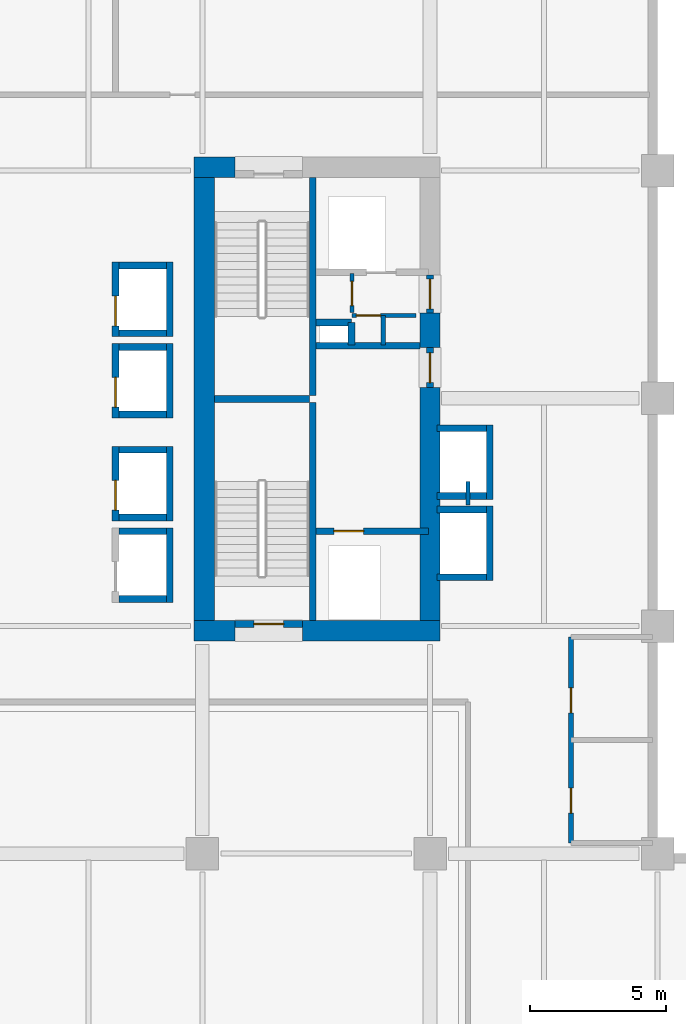
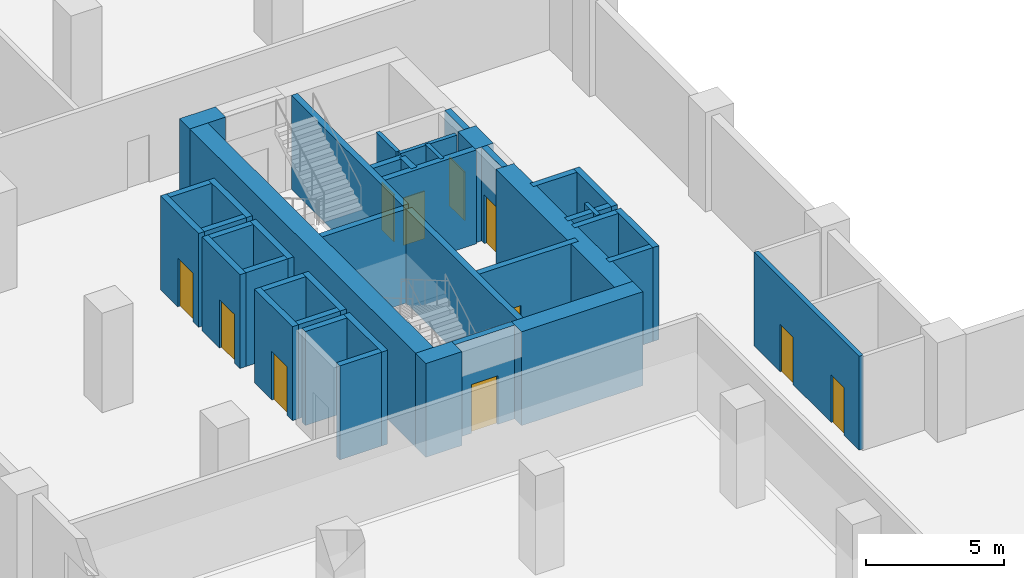
# One storey, part 10 of 21: 42 walls, 11 doors, 11 openings.
"""IFC4 building model written with IfcOpenShell, lengths in metres."""

from ifc_helpers import new_model, si_unit, direction, frame, frame_2d, origin, place, context, subcontext, project, spatial, rectangle, extrude, material, layer, layer_set, type_object, element, fill, save


model = new_model("IFC4")

# Units and contexts
model_context = context("Model", 3, precision=1e-05, world=origin(), true_north=direction((0.0, 1.0)))
body_context = subcontext(model_context, "Body", "Model", "MODEL_VIEW")
ifc_project = project(units=[si_unit("LENGTHUNIT", "METRE"), si_unit("AREAUNIT", "SQUARE_METRE"), si_unit("VOLUMEUNIT", "CUBIC_METRE"), si_unit("PLANEANGLEUNIT", "RADIAN"), si_unit("MASSUNIT", "GRAM", prefix="KILO")], contexts=[model_context])

# Site, building, storey
site_placement = place(None, origin())
site = spatial("IfcSite", under=ifc_project, at=site_placement, CompositionType="ELEMENT")
building_placement = place(site_placement, origin())
building = spatial("IfcBuilding", under=site, at=building_placement, Name="Koriwani Terraces Tower", CompositionType="ELEMENT")
storey_placement = place(building_placement, frame((0.0, 0.0, 85.199951171875)))
storey = spatial("IfcBuildingStorey", under=building, at=storey_placement, Name="L20", CompositionType="ELEMENT", Elevation=85.199951171875)

# Walls
ifc_material_1 = material(Name="Concrete C60/75", Category="concrete")
ifc_layer_1 = layer(ifc_material_1, 0.75, Name="Concrete C60/75")
ifc_layer_set_1 = layer_set([ifc_layer_1], Name="Concrete C60/75")
wall_type_1 = type_object("IfcWallType", Name="WALL_CORE_RC_750", PredefinedType="SHEAR", material=ifc_layer_set_1)
wall_1_placement = place(storey_placement, frame((16.5, 41.824951171875, 0.0), z_axis=(0.0, 0.0, 1.0), x_axis=(1.0, 0.0, 0.0)))
element("IfcWall", 1, at=wall_1_placement, inside=storey, type_object=wall_type_1, Name="L20 West Split Core Shear Wall S1", PredefinedType="SHEAR", context=body_context, shape_type="SweptSolid", body=[
    extrude(rectangle(XDim=1.5, YDim=0.75, at=frame_2d((0.75, 0.0))), origin(), (0.0, 0.0, 1.0), 4.150146484375),
])
wall_2_placement = place(storey_placement, frame((20.5, 41.824951171875, 0.0), z_axis=(0.0, 0.0, 1.0), x_axis=(1.0, 0.0, 0.0)))
element("IfcWall", 2, at=wall_2_placement, inside=storey, type_object=wall_type_1, Name="L20 West Split Core Shear Wall S2", PredefinedType="SHEAR", context=body_context, shape_type="SweptSolid", body=[
    extrude(rectangle(XDim=5.074951171875, YDim=0.75, at=frame_2d((2.53759765625, 0.0))), origin(), (0.0, 0.0, 1.0), 4.150146484375),
])
wall_3_placement = place(storey_placement, frame((16.5, 58.925048828125, 0.0), z_axis=(0.0, 0.0, 1.0), x_axis=(1.0, 0.0, 0.0)))
element("IfcWall", 3, at=wall_3_placement, inside=storey, type_object=wall_type_1, Name="L20 West Split Core Shear Wall N1", PredefinedType="SHEAR", context=body_context, shape_type="SweptSolid", body=[
    extrude(rectangle(XDim=1.5, YDim=0.75, at=frame_2d((0.75, 0.0))), origin(), (0.0, 0.0, 1.0), 4.150146484375),
])
wall_4_placement = place(storey_placement, frame((16.875, 42.199951171875, 0.0), z_axis=(0.0, 0.0, 1.0), x_axis=(0.0, 1.0, 0.0)))
element("IfcWall", 4, at=wall_4_placement, inside=storey, type_object=wall_type_1, Name="L20 West Split Core Shear Wall W1", PredefinedType="SHEAR", context=body_context, shape_type="SweptSolid", body=[
    extrude(rectangle(XDim=16.35009765625, YDim=0.75, at=frame_2d((8.175048828125, 0.0))), origin(), (0.0, 0.0, 1.0), 4.150146484375),
])
wall_5_placement = place(storey_placement, frame((25.199951171875, 42.199951171875, 0.0), z_axis=(0.0, 0.0, 1.0), x_axis=(0.0, 1.0, 0.0)))
element("IfcWall", 5, at=wall_5_placement, inside=storey, type_object=wall_type_1, Name="L20 West Split Core Shear Wall E1", PredefinedType="SHEAR", context=body_context, shape_type="SweptSolid", body=[
    extrude(rectangle(XDim=8.60009765625, YDim=0.75, at=frame_2d((4.300048828125, 0.0))), origin(), (0.0, 0.0, 1.0), 4.150146484375),
])
wall_6_placement = place(storey_placement, frame((25.199951171875, 52.280029296875, 0.0), z_axis=(0.0, 0.0, 1.0), x_axis=(0.0, 1.0, 0.0)))
element("IfcWall", 6, at=wall_6_placement, inside=storey, type_object=wall_type_1, Name="L20 West Split Core Shear Wall E2", PredefinedType="SHEAR", context=body_context, shape_type="SweptSolid", body=[
    extrude(rectangle(XDim=1.27001953125, YDim=0.75, at=frame_2d((0.635009765625, 0.0))), origin(), (0.0, 0.0, 1.0), 4.150146484375),
])

# Wall, openings, doors
ifc_material_2 = material(Name="Fire-Rated Acoustic Gypsum Partition", Category="masonry")
ifc_layer_2 = layer(ifc_material_2, 0.179931640625, Name="Fire-Rated Acoustic Gypsum Partition")
ifc_layer_set_2 = layer_set([ifc_layer_2], Name="Fire-Rated Acoustic Gypsum Partition")
wall_type_2 = type_object("IfcWallType", Name="WALL_PLUMBING_180", PredefinedType="PLUMBINGWALL", material=ifc_layer_set_2)
wall_7_placement = place(storey_placement, frame((30.39990234375, 34.0, 0.0), z_axis=(0.0, 0.0, 1.0), x_axis=(0.0, 1.0, 0.0)))
wall_7 = element("IfcWall", 7, at=wall_7_placement, inside=storey, type_object=wall_type_2, Name="L20 Interior Wall WSKY-WC-L20", PredefinedType="PLUMBINGWALL", context=body_context, shape_type="SweptSolid", body=[
    extrude(rectangle(XDim=7.60009765625, YDim=0.179931640625, at=frame_2d((3.800048828125, 0.0))), origin(), (0.0, 0.0, 1.0), 4.150146484375),
])
opening_1_placement = place(wall_7_placement, frame((1.10009765625, 0.0, 0.0)))
opening_1 = element("IfcOpeningElement", 8, at=opening_1_placement, cuts=wall_7, Name="Opening D-06", PredefinedType="OPENING", context=body_context, shape_type="SweptSolid", body=[
    extrude(rectangle(XDim=0.919921875, YDim=2.10009765625, at=frame_2d((0.4599609375, 1.050048828125))), frame((0.0, 0.10009765625, 0.0), z_axis=(0.0, -1.0, 0.0), x_axis=(1.0, 0.0, 0.0)), (0.0, 0.0, 1.0), 0.199951171875),
])
opening_2_placement = place(wall_7_placement, frame((4.800048828125, 0.0, 0.0)))
opening_2 = element("IfcOpeningElement", 9, at=opening_2_placement, cuts=wall_7, Name="Opening D-06", PredefinedType="OPENING", context=body_context, shape_type="SweptSolid", body=[
    extrude(rectangle(XDim=0.919921875, YDim=2.10009765625, at=frame_2d((0.4599609375, 1.050048828125))), frame((0.0, 0.10009765625, 0.0), z_axis=(0.0, -1.0, 0.0), x_axis=(1.0, 0.0, 0.0)), (0.0, 0.0, 1.0), 0.199951171875),
])
ifc_material_3 = material(Name="Architectural Oak Fire Door", Category="wood")
door_type_1 = type_object("IfcDoorType", Name="DOOR_ROOM_INT_920X2100", OperationType="NOTDEFINED", PredefinedType="DOOR", material=ifc_material_3)
door_1_placement = place(opening_1_placement, origin())
door_1 = element("IfcDoor", 10, at=door_1_placement, inside=storey, type_object=door_type_1, Name="L20 Sky Lobby Restroom WC Door", OperationType="SINGLE_SWING_RIGHT", OverallHeight=2.10009765625, OverallWidth=0.919921875, PredefinedType="DOOR", context=body_context, shape_type="SweptSolid", body=[
    extrude(rectangle(XDim=0.919921875, YDim=2.10009765625, at=frame_2d((0.4599609375, 1.050048828125))), frame((0.0, 0.02490234375, 0.0), z_axis=(0.0, -1.0, 0.0), x_axis=(1.0, 0.0, 0.0)), (0.0, 0.0, 1.0), 0.050048828125),
])
fill(opening_1, door_1)
door_2_placement = place(opening_2_placement, origin())
door_2 = element("IfcDoor", 11, at=door_2_placement, inside=storey, type_object=door_type_1, Name="L20 Sky Lobby Accessible WC Door", OperationType="SINGLE_SWING_LEFT", OverallHeight=2.10009765625, OverallWidth=0.919921875, PredefinedType="DOOR", context=body_context, shape_type="SweptSolid", body=[
    extrude(rectangle(XDim=0.919921875, YDim=2.10009765625, at=frame_2d((0.4599609375, 1.050048828125))), frame((0.0, 0.02490234375, 0.0), z_axis=(0.0, -1.0, 0.0), x_axis=(1.0, 0.0, 0.0)), (0.0, 0.0, 1.0), 0.050048828125),
])
fill(opening_2, door_2)

# Walls
ifc_material_4 = material(Name="Concrete C40/50", Category="concrete")
ifc_layer_3 = layer(ifc_material_4, 0.25, Name="Concrete C40/50")
ifc_layer_set_3 = layer_set([ifc_layer_3], Name="Concrete C40/50")
wall_type_3 = type_object("IfcWallType", Name="WALL_SHAFT_RATED_250", PredefinedType="SOLIDWALL", material=ifc_layer_set_3)
for number, where, z_axis, x_axis, name in (
    (12, (20.875, 42.199951171875, 0.0), (0.0, 0.0, 1.0), (0.0, 1.0, 0.0), "L20 West Split Core Web Wall MID1"),
    (13, (20.875, 50.5, 0.0), (0.0, 0.0, 1.0), (0.0, 1.0, 0.0), "L20 West Split Core Web Wall MID2"),
):
    element("IfcWall", number, at=place(storey_placement, frame(where, z_axis=z_axis, x_axis=x_axis)), inside=storey, type_object=wall_type_3, Name=name, PredefinedType="SOLIDWALL", context=body_context, shape_type="SweptSolid", body=[
        extrude(rectangle(XDim=8.050048828125, YDim=0.25, at=frame_2d((4.02490234375, 0.0))), origin(), (0.0, 0.0, 1.0), 4.150146484375),
    ])
wall_8_placement = place(storey_placement, frame((17.25, 50.375, 0.0), z_axis=(0.0, 0.0, 1.0), x_axis=(1.0, 0.0, 0.0)))
element("IfcWall", 14, at=wall_8_placement, inside=storey, type_object=wall_type_3, Name="L20 West Split Core Stair Dividing Wall", PredefinedType="SOLIDWALL", context=body_context, shape_type="SweptSolid", body=[
    extrude(rectangle(XDim=3.5, YDim=0.25, at=frame_2d((1.75, 0.0))), origin(), (0.0, 0.0, 1.0), 4.150146484375),
])

# Wall, opening, door
wall_9_placement = place(storey_placement, frame((18.0, 42.074951171875, 0.0), z_axis=(0.0, 0.0, 1.0), x_axis=(1.0, 0.0, 0.0)))
wall_9 = element("IfcWall", 15, at=wall_9_placement, inside=storey, type_object=wall_type_3, Name="L20 Interior Wall WIN-CW-L20-STS", PredefinedType="SOLIDWALL", context=body_context, shape_type="SweptSolid", body=[
    extrude(rectangle(XDim=2.5, YDim=0.25, at=frame_2d((1.25, 0.0))), origin(), (0.0, 0.0, 1.0), 4.150146484375),
])
opening_3_placement = place(wall_9_placement, frame((0.699951171875, 0.0, 0.0)))
opening_3 = element("IfcOpeningElement", 16, at=opening_3_placement, cuts=wall_9, Name="Opening D-03", PredefinedType="OPENING", context=body_context, shape_type="SweptSolid", body=[
    extrude(rectangle(XDim=1.10009765625, YDim=2.14990234375, at=frame_2d((0.550048828125, 1.074951171875))), frame((0.0, 0.135009765625, 0.0), z_axis=(0.0, -1.0, 0.0), x_axis=(1.0, 0.0, 0.0)), (0.0, 0.0, 1.0), 0.27001953125),
])
ifc_material_5 = material(Name="Steel ASTM A572 Grade 50", Category="steel")
door_type_2 = type_object("IfcDoorType", Name="DOOR_STAIR_FIRE_1100X2150", OperationType="NOTDEFINED", PredefinedType="DOOR", material=ifc_material_5)
door_3_placement = place(opening_3_placement, origin())
door_3 = element("IfcDoor", 17, at=door_3_placement, inside=storey, type_object=door_type_2, Name="L20 Exit Stair ST-W1 Door", OperationType="SINGLE_SWING_RIGHT", OverallHeight=2.14990234375, OverallWidth=1.10009765625, PredefinedType="DOOR", context=body_context, shape_type="SweptSolid", body=[
    extrude(rectangle(XDim=1.10009765625, YDim=2.14990234375, at=frame_2d((0.550048828125, 1.074951171875))), frame((0.0, 0.02490234375, 0.0), z_axis=(0.0, -1.0, 0.0), x_axis=(1.0, 0.0, 0.0)), (0.0, 0.0, 1.0), 0.050048828125),
])
fill(opening_3, door_3)

wall_10_placement = place(storey_placement, frame((21.0, 45.5, 0.0), z_axis=(0.0, 0.0, 1.0), x_axis=(1.0, 0.0, 0.0)))
wall_10 = element("IfcWall", 18, at=wall_10_placement, inside=storey, type_object=wall_type_3, Name="L20 Interior Wall WIN-CW-L20-FE", PredefinedType="SOLIDWALL", context=body_context, shape_type="SweptSolid", body=[
    extrude(rectangle(XDim=4.14990234375, YDim=0.25, at=frame_2d((2.074951171875, 0.0))), origin(), (0.0, 0.0, 1.0), 4.150146484375),
])
opening_4_placement = place(wall_10_placement, frame((0.64990234375, 0.0, 0.0)))
opening_4 = element("IfcOpeningElement", 19, at=opening_4_placement, cuts=wall_10, Name="Opening LD-01", PredefinedType="OPENING", context=body_context, shape_type="SweptSolid", body=[
    extrude(rectangle(XDim=1.10009765625, YDim=2.14990234375, at=frame_2d((0.550048828125, 1.074951171875))), frame((0.0, 0.135009765625, 0.0), z_axis=(0.0, -1.0, 0.0), x_axis=(1.0, 0.0, 0.0)), (0.0, 0.0, 1.0), 0.27001953125),
])
door_type_3 = type_object("IfcDoorType", Name="DOOR_LIFT_LANDING_1100X2200", OperationType="NOTDEFINED", PredefinedType="DOOR", material=ifc_material_5)
door_4_placement = place(opening_4_placement, origin())
door_4 = element("IfcDoor", 20, at=door_4_placement, inside=storey, type_object=door_type_3, Name="L20 Firefighting Lift FE-01 Landing Door", OperationType="SLIDING_TO_LEFT", OverallHeight=2.14990234375, OverallWidth=1.10009765625, PredefinedType="DOOR", context=body_context, shape_type="SweptSolid", body=[
    extrude(rectangle(XDim=1.10009765625, YDim=2.14990234375, at=frame_2d((0.550048828125, 1.074951171875))), frame((0.0, 0.02490234375, 0.0), z_axis=(0.0, -1.0, 0.0), x_axis=(1.0, 0.0, 0.0)), (0.0, 0.0, 1.0), 0.050048828125),
])
fill(opening_4, door_4)

wall_11_placement = place(storey_placement, frame((25.199951171875, 50.800048828125, 0.0), z_axis=(0.0, 0.0, 1.0), x_axis=(0.0, 1.0, 0.0)))
wall_11 = element("IfcWall", 21, at=wall_11_placement, inside=storey, type_object=wall_type_3, Name="L20 Interior Wall WIN-CW-L20-EP", PredefinedType="SOLIDWALL", context=body_context, shape_type="SweptSolid", body=[
    extrude(rectangle(XDim=1.47998046875, YDim=0.25, at=frame_2d((0.739990234375, 0.0))), origin(), (0.0, 0.0, 1.0), 4.150146484375),
])
opening_5_placement = place(wall_11_placement, frame((0.179931640625, 0.0, 0.0)))
opening_5 = element("IfcOpeningElement", 22, at=opening_5_placement, cuts=wall_11, Name="Opening D-03", PredefinedType="OPENING", context=body_context, shape_type="SweptSolid", body=[
    extrude(rectangle(XDim=1.10009765625, YDim=2.14990234375, at=frame_2d((0.550048828125, 1.074951171875))), frame((0.0, 0.135009765625, 0.0), z_axis=(0.0, -1.0, 0.0), x_axis=(1.0, 0.0, 0.0)), (0.0, 0.0, 1.0), 0.27001953125),
])
door_5_placement = place(opening_5_placement, origin())
door_5 = element("IfcDoor", 23, at=door_5_placement, inside=storey, type_object=door_type_2, Name="L20 West Firefighting Lobby Door", OperationType="SINGLE_SWING_RIGHT", OverallHeight=2.14990234375, OverallWidth=1.10009765625, PredefinedType="DOOR", context=body_context, shape_type="SweptSolid", body=[
    extrude(rectangle(XDim=1.10009765625, YDim=2.14990234375, at=frame_2d((0.550048828125, 1.074951171875))), frame((0.0, 0.02490234375, 0.0), z_axis=(0.0, -1.0, 0.0), x_axis=(1.0, 0.0, 0.0)), (0.0, 0.0, 1.0), 0.050048828125),
])
fill(opening_5, door_5)

# Wall
wall_12_placement = place(storey_placement, frame((21.0, 52.340087890625, 0.0), z_axis=(0.0, 0.0, 1.0), x_axis=(1.0, 0.0, 0.0)))
element("IfcWall", 24, at=wall_12_placement, inside=storey, type_object=wall_type_3, Name="L20 Interior Wall WIN-CW-L20-FFN", PredefinedType="SOLIDWALL", context=body_context, shape_type="SweptSolid", body=[
    extrude(rectangle(XDim=3.824951171875, YDim=0.25, at=frame_2d((1.91259765625, 0.0))), origin(), (0.0, 0.0, 1.0), 4.150146484375),
])

# Wall, opening, door
wall_13_placement = place(storey_placement, frame((25.199951171875, 53.550048828125, 0.0), z_axis=(0.0, 0.0, 1.0), x_axis=(0.0, 1.0, 0.0)))
wall_13 = element("IfcWall", 25, at=wall_13_placement, inside=storey, type_object=wall_type_3, Name="L20 Interior Wall WIN-CW-L20-EP2", PredefinedType="SOLIDWALL", context=body_context, shape_type="SweptSolid", body=[
    extrude(rectangle(XDim=1.39990234375, YDim=0.25, at=frame_2d((0.699951171875, 0.0))), origin(), (0.0, 0.0, 1.0), 4.150146484375),
])
opening_6_placement = place(wall_13_placement, frame((0.14990234375, 0.0, 0.0)))
opening_6 = element("IfcOpeningElement", 26, at=opening_6_placement, cuts=wall_13, Name="Opening D-03", PredefinedType="OPENING", context=body_context, shape_type="SweptSolid", body=[
    extrude(rectangle(XDim=1.10009765625, YDim=2.14990234375, at=frame_2d((0.550048828125, 1.074951171875))), frame((0.0, 0.135009765625, 0.0), z_axis=(0.0, -1.0, 0.0), x_axis=(1.0, 0.0, 0.0)), (0.0, 0.0, 1.0), 0.27001953125),
])
door_6_placement = place(opening_6_placement, origin())
door_6 = element("IfcDoor", 27, at=door_6_placement, inside=storey, type_object=door_type_2, Name="L20 West Goods Lift Lobby Door", OperationType="SINGLE_SWING_LEFT", OverallHeight=2.14990234375, OverallWidth=1.10009765625, PredefinedType="DOOR", context=body_context, shape_type="SweptSolid", body=[
    extrude(rectangle(XDim=1.10009765625, YDim=2.14990234375, at=frame_2d((0.550048828125, 1.074951171875))), frame((0.0, 0.02490234375, 0.0), z_axis=(0.0, -1.0, 0.0), x_axis=(1.0, 0.0, 0.0)), (0.0, 0.0, 1.0), 0.050048828125),
])
fill(opening_6, door_6)

# Walls
wall_14_placement = place(storey_placement, frame((21.0, 53.199951171875, 0.0), z_axis=(0.0, 0.0, 1.0), x_axis=(1.0, 0.0, 0.0)))
element("IfcWall", 28, at=wall_14_placement, inside=storey, type_object=wall_type_3, Name="L20 Interior Wall WIN-CW-L20-RS1", PredefinedType="SOLIDWALL", context=body_context, shape_type="SweptSolid", body=[
    extrude(rectangle(XDim=1.300048828125, YDim=0.25, at=frame_2d((0.64990234375, 0.0))), origin(), (0.0, 0.0, 1.0), 4.150146484375),
])
wall_15_placement = place(storey_placement, frame((22.300048828125, 52.360107421875, 0.0), z_axis=(0.0, 0.0, 1.0), x_axis=(0.0, 1.0, 0.0)))
element("IfcWall", 29, at=wall_15_placement, inside=storey, type_object=wall_type_3, Name="L20 Interior Wall WIN-CW-L20-RS2", PredefinedType="SOLIDWALL", context=body_context, shape_type="SweptSolid", body=[
    extrude(rectangle(XDim=0.83984375, YDim=0.25, at=frame_2d((0.419921875, 0.0))), origin(), (0.0, 0.0, 1.0), 4.150146484375),
])
wall_16_placement = place(storey_placement, frame((15.60009765625, 42.875, 0.0), z_axis=(0.0, 0.0, 1.0), x_axis=(0.0, 1.0, 0.0)))
element("IfcWall", 30, at=wall_16_placement, inside=storey, type_object=wall_type_3, Name="L20 Interior Wall WIN-LF-PE-L1-L20-B", PredefinedType="SOLIDWALL", context=body_context, shape_type="SweptSolid", body=[
    extrude(rectangle(XDim=2.75, YDim=0.25, at=frame_2d((1.375, 0.0))), origin(), (0.0, 0.0, 1.0), 4.150146484375),
])
for number, where, z_axis, x_axis, name in (
    (31, (13.72509765625, 43.0, 0.0), (0.0, 0.0, 1.0), (1.0, 0.0, 0.0), "L20 Interior Wall WIN-LF-PE-L1-L20-S"),
    (32, (13.72509765625, 45.5, 0.0), (0.0, 0.0, 1.0), (1.0, 0.0, 0.0), "L20 Interior Wall WIN-LF-PE-L1-L20-N"),
):
    element("IfcWall", number, at=place(storey_placement, frame(where, z_axis=z_axis, x_axis=x_axis)), inside=storey, type_object=wall_type_3, Name=name, PredefinedType="SOLIDWALL", context=body_context, shape_type="SweptSolid", body=[
        extrude(rectangle(XDim=1.75, YDim=0.25, at=frame_2d((0.875, 0.0))), origin(), (0.0, 0.0, 1.0), 4.150146484375),
    ])

# Wall, opening, door
wall_17_placement = place(storey_placement, frame((13.60009765625, 45.875, 0.0), z_axis=(0.0, 0.0, 1.0), x_axis=(0.0, 1.0, 0.0)))
wall_17 = element("IfcWall", 33, at=wall_17_placement, inside=storey, type_object=wall_type_3, Name="L20 Interior Wall WIN-LF-PE-L2-L20-F", PredefinedType="SOLIDWALL", context=body_context, shape_type="SweptSolid", body=[
    extrude(rectangle(XDim=2.75, YDim=0.25, at=frame_2d((1.375, 0.0))), origin(), (0.0, 0.0, 1.0), 4.150146484375),
])
opening_7_placement = place(wall_17_placement, frame((0.39990234375, 0.0, 0.0)))
opening_7 = element("IfcOpeningElement", 34, at=opening_7_placement, cuts=wall_17, Name="Opening LD-01", PredefinedType="OPENING", context=body_context, shape_type="SweptSolid", body=[
    extrude(rectangle(XDim=1.10009765625, YDim=2.14990234375, at=frame_2d((0.550048828125, 1.074951171875))), frame((0.0, 0.135009765625, 0.0), z_axis=(0.0, -1.0, 0.0), x_axis=(1.0, 0.0, 0.0)), (0.0, 0.0, 1.0), 0.27001953125),
])
door_7_placement = place(opening_7_placement, origin())
door_7 = element("IfcDoor", 35, at=door_7_placement, inside=storey, type_object=door_type_3, Name="L20 Passenger Lift PE-L2 Landing Door", OperationType="SLIDING_TO_LEFT", OverallHeight=2.14990234375, OverallWidth=1.10009765625, PredefinedType="DOOR", context=body_context, shape_type="SweptSolid", body=[
    extrude(rectangle(XDim=1.10009765625, YDim=2.14990234375, at=frame_2d((0.550048828125, 1.074951171875))), frame((0.0, 0.02490234375, 0.0), z_axis=(0.0, -1.0, 0.0), x_axis=(1.0, 0.0, 0.0)), (0.0, 0.0, 1.0), 0.050048828125),
])
fill(opening_7, door_7)

# Walls
wall_18_placement = place(storey_placement, frame((15.60009765625, 45.875, 0.0), z_axis=(0.0, 0.0, 1.0), x_axis=(0.0, 1.0, 0.0)))
element("IfcWall", 36, at=wall_18_placement, inside=storey, type_object=wall_type_3, Name="L20 Interior Wall WIN-LF-PE-L2-L20-B", PredefinedType="SOLIDWALL", context=body_context, shape_type="SweptSolid", body=[
    extrude(rectangle(XDim=2.75, YDim=0.25, at=frame_2d((1.375, 0.0))), origin(), (0.0, 0.0, 1.0), 4.150146484375),
])
for number, where, z_axis, x_axis, name in (
    (37, (13.72509765625, 46.0, 0.0), (0.0, 0.0, 1.0), (1.0, 0.0, 0.0), "L20 Interior Wall WIN-LF-PE-L2-L20-S"),
    (38, (13.72509765625, 48.5, 0.0), (0.0, 0.0, 1.0), (1.0, 0.0, 0.0), "L20 Interior Wall WIN-LF-PE-L2-L20-N"),
):
    element("IfcWall", number, at=place(storey_placement, frame(where, z_axis=z_axis, x_axis=x_axis)), inside=storey, type_object=wall_type_3, Name=name, PredefinedType="SOLIDWALL", context=body_context, shape_type="SweptSolid", body=[
        extrude(rectangle(XDim=1.75, YDim=0.25, at=frame_2d((0.875, 0.0))), origin(), (0.0, 0.0, 1.0), 4.150146484375),
    ])

# Wall, opening, door
wall_19_placement = place(storey_placement, frame((13.60009765625, 49.675048828125, 0.0), z_axis=(0.0, 0.0, 1.0), x_axis=(0.0, 1.0, 0.0)))
wall_19 = element("IfcWall", 39, at=wall_19_placement, inside=storey, type_object=wall_type_3, Name="L20 Interior Wall WIN-LF-PE-M1-L20-F", PredefinedType="SOLIDWALL", context=body_context, shape_type="SweptSolid", body=[
    extrude(rectangle(XDim=2.75, YDim=0.25, at=frame_2d((1.375, 0.0))), origin(), (0.0, 0.0, 1.0), 4.150146484375),
])
opening_8_placement = place(wall_19_placement, frame((0.39990234375, 0.0, 0.0)))
opening_8 = element("IfcOpeningElement", 40, at=opening_8_placement, cuts=wall_19, Name="Opening LD-01", PredefinedType="OPENING", context=body_context, shape_type="SweptSolid", body=[
    extrude(rectangle(XDim=1.10009765625, YDim=2.14990234375, at=frame_2d((0.550048828125, 1.074951171875))), frame((0.0, 0.135009765625, 0.0), z_axis=(0.0, -1.0, 0.0), x_axis=(1.0, 0.0, 0.0)), (0.0, 0.0, 1.0), 0.27001953125),
])
door_8_placement = place(opening_8_placement, origin())
door_8 = element("IfcDoor", 41, at=door_8_placement, inside=storey, type_object=door_type_3, Name="L20 Passenger Lift PE-M1 Landing Door", OperationType="SLIDING_TO_LEFT", OverallHeight=2.14990234375, OverallWidth=1.10009765625, PredefinedType="DOOR", context=body_context, shape_type="SweptSolid", body=[
    extrude(rectangle(XDim=1.10009765625, YDim=2.14990234375, at=frame_2d((0.550048828125, 1.074951171875))), frame((0.0, 0.02490234375, 0.0), z_axis=(0.0, -1.0, 0.0), x_axis=(1.0, 0.0, 0.0)), (0.0, 0.0, 1.0), 0.050048828125),
])
fill(opening_8, door_8)

# Walls
wall_20_placement = place(storey_placement, frame((15.60009765625, 49.675048828125, 0.0), z_axis=(0.0, 0.0, 1.0), x_axis=(0.0, 1.0, 0.0)))
element("IfcWall", 42, at=wall_20_placement, inside=storey, type_object=wall_type_3, Name="L20 Interior Wall WIN-LF-PE-M1-L20-B", PredefinedType="SOLIDWALL", context=body_context, shape_type="SweptSolid", body=[
    extrude(rectangle(XDim=2.75, YDim=0.25, at=frame_2d((1.375, 0.0))), origin(), (0.0, 0.0, 1.0), 4.150146484375),
])
for number, where, z_axis, x_axis, name in (
    (43, (13.72509765625, 49.800048828125, 0.0), (0.0, 0.0, 1.0), (1.0, 0.0, 0.0), "L20 Interior Wall WIN-LF-PE-M1-L20-S"),
    (44, (13.72509765625, 52.300048828125, 0.0), (0.0, 0.0, 1.0), (1.0, 0.0, 0.0), "L20 Interior Wall WIN-LF-PE-M1-L20-N"),
):
    element("IfcWall", number, at=place(storey_placement, frame(where, z_axis=z_axis, x_axis=x_axis)), inside=storey, type_object=wall_type_3, Name=name, PredefinedType="SOLIDWALL", context=body_context, shape_type="SweptSolid", body=[
        extrude(rectangle(XDim=1.75, YDim=0.25, at=frame_2d((0.875, 0.0))), origin(), (0.0, 0.0, 1.0), 4.150146484375),
    ])

# Wall, opening, door
wall_21_placement = place(storey_placement, frame((13.60009765625, 52.675048828125, 0.0), z_axis=(0.0, 0.0, 1.0), x_axis=(0.0, 1.0, 0.0)))
wall_21 = element("IfcWall", 45, at=wall_21_placement, inside=storey, type_object=wall_type_3, Name="L20 Interior Wall WIN-LF-PE-M2-L20-F", PredefinedType="SOLIDWALL", context=body_context, shape_type="SweptSolid", body=[
    extrude(rectangle(XDim=2.75, YDim=0.25, at=frame_2d((1.375, 0.0))), origin(), (0.0, 0.0, 1.0), 4.150146484375),
])
opening_9_placement = place(wall_21_placement, frame((0.39990234375, 0.0, 0.0)))
opening_9 = element("IfcOpeningElement", 46, at=opening_9_placement, cuts=wall_21, Name="Opening LD-01", PredefinedType="OPENING", context=body_context, shape_type="SweptSolid", body=[
    extrude(rectangle(XDim=1.10009765625, YDim=2.14990234375, at=frame_2d((0.550048828125, 1.074951171875))), frame((0.0, 0.135009765625, 0.0), z_axis=(0.0, -1.0, 0.0), x_axis=(1.0, 0.0, 0.0)), (0.0, 0.0, 1.0), 0.27001953125),
])
door_9_placement = place(opening_9_placement, origin())
door_9 = element("IfcDoor", 47, at=door_9_placement, inside=storey, type_object=door_type_3, Name="L20 Passenger Lift PE-M2 Landing Door", OperationType="SLIDING_TO_LEFT", OverallHeight=2.14990234375, OverallWidth=1.10009765625, PredefinedType="DOOR", context=body_context, shape_type="SweptSolid", body=[
    extrude(rectangle(XDim=1.10009765625, YDim=2.14990234375, at=frame_2d((0.550048828125, 1.074951171875))), frame((0.0, 0.02490234375, 0.0), z_axis=(0.0, -1.0, 0.0), x_axis=(1.0, 0.0, 0.0)), (0.0, 0.0, 1.0), 0.050048828125),
])
fill(opening_9, door_9)

# Walls
wall_22_placement = place(storey_placement, frame((15.60009765625, 52.675048828125, 0.0), z_axis=(0.0, 0.0, 1.0), x_axis=(0.0, 1.0, 0.0)))
element("IfcWall", 48, at=wall_22_placement, inside=storey, type_object=wall_type_3, Name="L20 Interior Wall WIN-LF-PE-M2-L20-B", PredefinedType="SOLIDWALL", context=body_context, shape_type="SweptSolid", body=[
    extrude(rectangle(XDim=2.75, YDim=0.25, at=frame_2d((1.375, 0.0))), origin(), (0.0, 0.0, 1.0), 4.150146484375),
])
for number, where, z_axis, x_axis, name in (
    (49, (13.72509765625, 52.800048828125, 0.0), (0.0, 0.0, 1.0), (1.0, 0.0, 0.0), "L20 Interior Wall WIN-LF-PE-M2-L20-S"),
    (50, (13.72509765625, 55.300048828125, 0.0), (0.0, 0.0, 1.0), (1.0, 0.0, 0.0), "L20 Interior Wall WIN-LF-PE-M2-L20-N"),
):
    element("IfcWall", number, at=place(storey_placement, frame(where, z_axis=z_axis, x_axis=x_axis)), inside=storey, type_object=wall_type_3, Name=name, PredefinedType="SOLIDWALL", context=body_context, shape_type="SweptSolid", body=[
        extrude(rectangle(XDim=1.75, YDim=0.25, at=frame_2d((0.875, 0.0))), origin(), (0.0, 0.0, 1.0), 4.150146484375),
    ])
wall_23_placement = place(storey_placement, frame((27.39990234375, 43.675048828125, 0.0), z_axis=(0.0, 0.0, 1.0), x_axis=(0.0, 1.0, 0.0)))
element("IfcWall", 51, at=wall_23_placement, inside=storey, type_object=wall_type_3, Name="L20 Interior Wall WIN-LF-PE-H1-L20-F", PredefinedType="SOLIDWALL", context=body_context, shape_type="SweptSolid", body=[
    extrude(rectangle(XDim=2.75, YDim=0.25, at=frame_2d((1.375, 0.0))), origin(), (0.0, 0.0, 1.0), 4.150146484375),
])
for number, where, z_axis, x_axis, name in (
    (52, (25.449951171875, 43.800048828125, 0.0), (0.0, 0.0, 1.0), (1.0, 0.0, 0.0), "L20 Interior Wall WIN-LF-PE-H1-L20-S"),
    (53, (25.449951171875, 46.300048828125, 0.0), (0.0, 0.0, 1.0), (1.0, 0.0, 0.0), "L20 Interior Wall WIN-LF-PE-H1-L20-N"),
):
    element("IfcWall", number, at=place(storey_placement, frame(where, z_axis=z_axis, x_axis=x_axis)), inside=storey, type_object=wall_type_3, Name=name, PredefinedType="SOLIDWALL", context=body_context, shape_type="SweptSolid", body=[
        extrude(rectangle(XDim=1.824951171875, YDim=0.25, at=frame_2d((0.91259765625, 0.0))), origin(), (0.0, 0.0, 1.0), 4.150146484375),
    ])
wall_24_placement = place(storey_placement, frame((27.39990234375, 46.675048828125, 0.0), z_axis=(0.0, 0.0, 1.0), x_axis=(0.0, 1.0, 0.0)))
element("IfcWall", 54, at=wall_24_placement, inside=storey, type_object=wall_type_3, Name="L20 Interior Wall WIN-LF-PE-H2-L20-F", PredefinedType="SOLIDWALL", context=body_context, shape_type="SweptSolid", body=[
    extrude(rectangle(XDim=2.75, YDim=0.25, at=frame_2d((1.375, 0.0))), origin(), (0.0, 0.0, 1.0), 4.150146484375),
])
for number, where, z_axis, x_axis, name in (
    (55, (25.449951171875, 46.800048828125, 0.0), (0.0, 0.0, 1.0), (1.0, 0.0, 0.0), "L20 Interior Wall WIN-LF-PE-H2-L20-S"),
    (56, (25.449951171875, 49.300048828125, 0.0), (0.0, 0.0, 1.0), (1.0, 0.0, 0.0), "L20 Interior Wall WIN-LF-PE-H2-L20-N"),
):
    element("IfcWall", number, at=place(storey_placement, frame(where, z_axis=z_axis, x_axis=x_axis)), inside=storey, type_object=wall_type_3, Name=name, PredefinedType="SOLIDWALL", context=body_context, shape_type="SweptSolid", body=[
        extrude(rectangle(XDim=1.824951171875, YDim=0.25, at=frame_2d((0.91259765625, 0.0))), origin(), (0.0, 0.0, 1.0), 4.150146484375),
    ])

# Wall, opening, door
ifc_layer_4 = layer(ifc_material_2, 0.159912109375, Name="Fire-Rated Acoustic Gypsum Partition")
ifc_layer_set_4 = layer_set([ifc_layer_4], Name="Fire-Rated Acoustic Gypsum Partition")
wall_type_4 = type_object("IfcWallType", Name="WALL_SUITE_160", PredefinedType="PARTITIONING", material=ifc_layer_set_4)
wall_25_placement = place(storey_placement, frame((22.320068359375, 53.56005859375, 0.0), z_axis=(0.0, 0.0, 1.0), x_axis=(0.0, 1.0, 0.0)))
wall_25 = element("IfcWall", 57, at=wall_25_placement, inside=storey, type_object=wall_type_4, Name="L20 Interior Wall WIN-CW-L20-SV2A", PredefinedType="PARTITIONING", context=body_context, shape_type="SweptSolid", body=[
    extrude(rectangle(XDim=1.43994140625, YDim=0.159912109375, at=frame_2d((0.719970703125, 0.0))), origin(), (0.0, 0.0, 1.0), 4.150146484375),
])
opening_10_placement = place(wall_25_placement, frame((0.260009765625, 0.0, 0.0)))
opening_10 = element("IfcOpeningElement", 58, at=opening_10_placement, cuts=wall_25, Name="Opening D-07", PredefinedType="OPENING", context=body_context, shape_type="SweptSolid", body=[
    extrude(rectangle(XDim=0.89990234375, YDim=2.10009765625, at=frame_2d((0.449951171875, 1.050048828125))), frame((0.0, 0.08984375, 0.0), z_axis=(0.0, -1.0, 0.0), x_axis=(1.0, 0.0, 0.0)), (0.0, 0.0, 1.0), 0.179931640625),
])
door_type_4 = type_object("IfcDoorType", Name="DOOR_BATH_INT_900X2100", OperationType="NOTDEFINED", PredefinedType="DOOR", material=ifc_material_3)
door_10_placement = place(opening_10_placement, origin())
door_10 = element("IfcDoor", 59, at=door_10_placement, inside=storey, type_object=door_type_4, Name="L20 West Meter Room Door", OperationType="SINGLE_SWING_RIGHT", OverallHeight=2.10009765625, OverallWidth=0.89990234375, PredefinedType="DOOR", context=body_context, shape_type="SweptSolid", body=[
    extrude(rectangle(XDim=0.89990234375, YDim=2.10009765625, at=frame_2d((0.449951171875, 1.050048828125))), frame((0.0, 0.02490234375, 0.0), z_axis=(0.0, -1.0, 0.0), x_axis=(1.0, 0.0, 0.0)), (0.0, 0.0, 1.0), 0.050048828125),
])
fill(opening_10, door_10)

wall_26_placement = place(storey_placement, frame((22.320068359375, 53.4599609375, 0.0), z_axis=(0.0, 0.0, 1.0), x_axis=(1.0, 0.0, 0.0)))
wall_26 = element("IfcWall", 60, at=wall_26_placement, inside=storey, type_object=wall_type_4, Name="L20 Interior Wall WIN-CW-L20-SV2H", PredefinedType="PARTITIONING", context=body_context, shape_type="SweptSolid", body=[
    extrude(rectangle(XDim=2.35986328125, YDim=0.159912109375, at=frame_2d((1.179931640625, 0.0))), origin(), (0.0, 0.0, 1.0), 4.150146484375),
])
opening_11_placement = place(wall_26_placement, frame((0.159912109375, 0.0, 0.0)))
opening_11 = element("IfcOpeningElement", 61, at=opening_11_placement, cuts=wall_26, Name="Opening D-07", PredefinedType="OPENING", context=body_context, shape_type="SweptSolid", body=[
    extrude(rectangle(XDim=0.89990234375, YDim=2.10009765625, at=frame_2d((0.449951171875, 1.050048828125))), frame((0.0, 0.08984375, 0.0), z_axis=(0.0, -1.0, 0.0), x_axis=(1.0, 0.0, 0.0)), (0.0, 0.0, 1.0), 0.179931640625),
])
door_11_placement = place(opening_11_placement, origin())
door_11 = element("IfcDoor", 62, at=door_11_placement, inside=storey, type_object=door_type_4, Name="L20 West Valve Room Door", OperationType="SINGLE_SWING_LEFT", OverallHeight=2.10009765625, OverallWidth=0.89990234375, PredefinedType="DOOR", context=body_context, shape_type="SweptSolid", body=[
    extrude(rectangle(XDim=0.89990234375, YDim=2.10009765625, at=frame_2d((0.449951171875, 1.050048828125))), frame((0.0, 0.02490234375, 0.0), z_axis=(0.0, -1.0, 0.0), x_axis=(1.0, 0.0, 0.0)), (0.0, 0.0, 1.0), 0.050048828125),
])
fill(opening_11, door_11)

# Walls
wall_27_placement = place(storey_placement, frame((23.47998046875, 52.360107421875, 0.0), z_axis=(0.0, 0.0, 1.0), x_axis=(0.0, 1.0, 0.0)))
element("IfcWall", 63, at=wall_27_placement, inside=storey, type_object=wall_type_4, Name="L20 Interior Wall WIN-CW-L20-SV2V", PredefinedType="PARTITIONING", context=body_context, shape_type="SweptSolid", body=[
    extrude(rectangle(XDim=1.099853515625, YDim=0.159912109375, at=frame_2d((0.5498046875, 0.0))), origin(), (0.0, 0.0, 1.0), 4.150146484375),
])
wall_28_placement = place(storey_placement, frame((26.60009765625, 46.4599609375, 0.0), z_axis=(0.0, 0.0, 1.0), x_axis=(0.0, 1.0, 0.0)))
element("IfcWall", 64, at=wall_28_placement, inside=storey, type_object=wall_type_4, Name="L20 Interior Wall WIN-LF-PEH12-MID-L20", PredefinedType="PARTITIONING", context=body_context, shape_type="SweptSolid", body=[
    extrude(rectangle(XDim=0.880126953125, YDim=0.159912109375, at=frame_2d((0.43994140625, 0.0))), origin(), (0.0, 0.0, 1.0), 4.150146484375),
])

save(model, "model.ifc")
